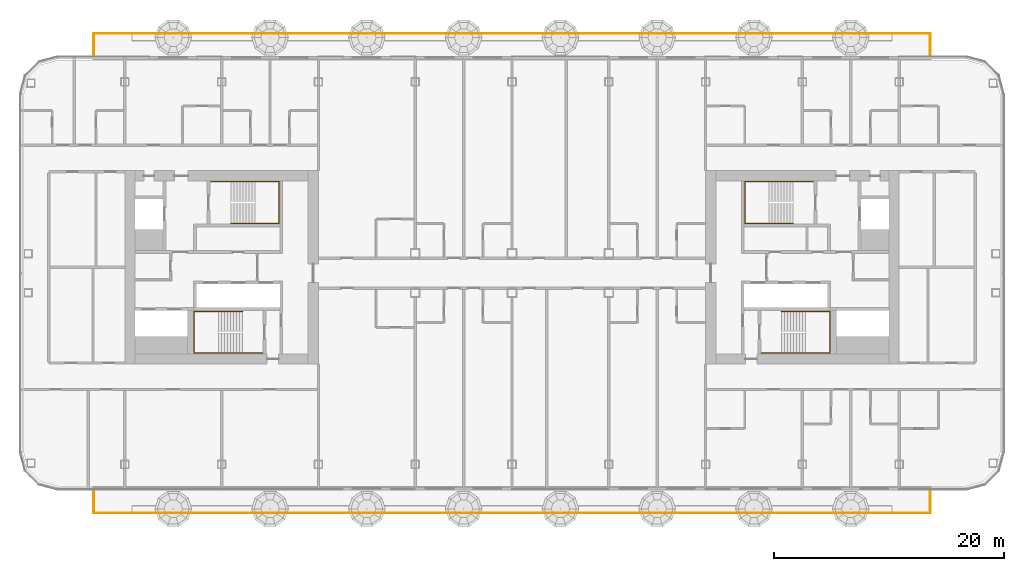
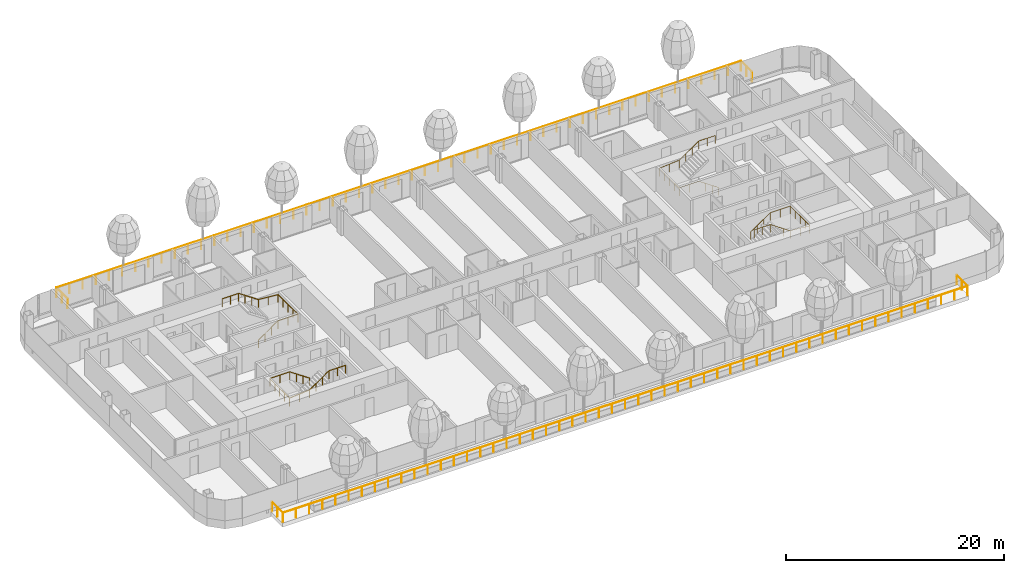
# One storey, part 25 of 30: 6 railings.
"""IFC4 building model written with IfcOpenShell, lengths in metres."""

from ifc_helpers import new_model, si_unit, direction, frame, origin, origin_2d, place, context, subcontext, project, spatial, circle, extrude, material, type_object, element, save


model = new_model("IFC4")

# Units and contexts
model_context = context("Model", 3, precision=1e-05, world=origin(), true_north=direction((0.0, 1.0)))
body_context = subcontext(model_context, "Body", "Model", "MODEL_VIEW")
ifc_project = project(units=[si_unit("LENGTHUNIT", "METRE"), si_unit("AREAUNIT", "SQUARE_METRE"), si_unit("VOLUMEUNIT", "CUBIC_METRE"), si_unit("PLANEANGLEUNIT", "RADIAN"), si_unit("MASSUNIT", "GRAM", prefix="KILO")], contexts=[model_context])

# Site, building, storey
site_placement = place(None, origin())
site = spatial("IfcSite", under=ifc_project, at=site_placement, CompositionType="ELEMENT")
building_placement = place(site_placement, origin())
building = spatial("IfcBuilding", under=site, at=building_placement, Name="Hakoniwa Tower and Hamabe Station Hall", CompositionType="ELEMENT")
storey_placement = place(building_placement, frame((0.0, 0.0, 137.39990234375)))
storey = spatial("IfcBuildingStorey", under=building, at=storey_placement, Name="L38", CompositionType="ELEMENT", Elevation=137.39990234375)

# Railings
ifc_material_1 = material(Name="Stainless steel and laminated glass", Category="steel")
railing_type_1 = type_object("IfcRailingType", Name="BALCONY BALUSTRADE 1100", PredefinedType="BALUSTRADE", material=ifc_material_1)
railing_1_placement = place(storey_placement, frame((-36.300048828125, 18.300048828125, 0.0)))
element("IfcRailing", 1, at=railing_1_placement, inside=storey, type_object=railing_type_1, Name="Balcony balustrade", PredefinedType="BALUSTRADE", context=body_context, shape_type="SweptSolid", body=[
    extrude(circle(Radius=0.02392578125, at=origin_2d()), frame((0.0, 0.0, 1.076171875), z_axis=(0.0, 1.0, 0.0), x_axis=(-1.0, 0.0, 0.0)), (0.0, 0.0, 1.0), 2.0),
    extrude(circle(Radius=0.02392578125, at=origin_2d()), frame((0.0, 2.0, 1.076171875), z_axis=(1.0, 0.0, 0.0), x_axis=(0.0, 1.0, 0.0)), (0.0, 0.0, 1.0), 72.60009765625),
    extrude(circle(Radius=0.02392578125, at=origin_2d()), frame((72.60009765625, 2.0, 1.076171875), z_axis=(0.0, -1.0, 0.0), x_axis=(1.0, 0.0, 0.0)), (0.0, 0.0, 1.0), 2.0),
    extrude(circle(Radius=0.02099609375, at=origin_2d()), origin(), (0.0, 0.0, 1.0), 1.052001953125),
    extrude(circle(Radius=0.02099609375, at=origin_2d()), frame((0.0, 1.0, 0.0)), (0.0, 0.0, 1.0), 1.052001953125),
    extrude(circle(Radius=0.02099609375, at=origin_2d()), frame((0.0, 2.0, 0.0)), (0.0, 0.0, 1.0), 1.052001953125),
    extrude(circle(Radius=0.02099609375, at=origin_2d()), frame((1.396240234375, 2.0, 0.0)), (0.0, 0.0, 1.0), 1.052001953125),
    extrude(circle(Radius=0.02099609375, at=origin_2d()), frame((2.792236328125, 2.0, 0.0)), (0.0, 0.0, 1.0), 1.052001953125),
    extrude(circle(Radius=0.02099609375, at=origin_2d()), frame((4.1884765625, 2.0, 0.0)), (0.0, 0.0, 1.0), 1.052001953125),
    extrude(circle(Radius=0.02099609375, at=origin_2d()), frame((5.584716796875, 2.0, 0.0)), (0.0, 0.0, 1.0), 1.052001953125),
    extrude(circle(Radius=0.02099609375, at=origin_2d()), frame((6.980712890625, 2.0, 0.0)), (0.0, 0.0, 1.0), 1.052001953125),
    extrude(circle(Radius=0.02099609375, at=origin_2d()), frame((8.376953125, 2.0, 0.0)), (0.0, 0.0, 1.0), 1.052001953125),
    extrude(circle(Radius=0.02099609375, at=origin_2d()), frame((9.773193359375, 2.0, 0.0)), (0.0, 0.0, 1.0), 1.052001953125),
    extrude(circle(Radius=0.02099609375, at=origin_2d()), frame((11.169189453125, 2.0, 0.0)), (0.0, 0.0, 1.0), 1.052001953125),
    extrude(circle(Radius=0.02099609375, at=origin_2d()), frame((12.5654296875, 2.0, 0.0)), (0.0, 0.0, 1.0), 1.052001953125),
    extrude(circle(Radius=0.02099609375, at=origin_2d()), frame((13.961669921875, 2.0, 0.0)), (0.0, 0.0, 1.0), 1.052001953125),
    extrude(circle(Radius=0.02099609375, at=origin_2d()), frame((15.357666015625, 2.0, 0.0)), (0.0, 0.0, 1.0), 1.052001953125),
    extrude(circle(Radius=0.02099609375, at=origin_2d()), frame((16.75390625, 2.0, 0.0)), (0.0, 0.0, 1.0), 1.052001953125),
    extrude(circle(Radius=0.02099609375, at=origin_2d()), frame((18.14990234375, 2.0, 0.0)), (0.0, 0.0, 1.0), 1.052001953125),
    extrude(circle(Radius=0.02099609375, at=origin_2d()), frame((19.546142578125, 2.0, 0.0)), (0.0, 0.0, 1.0), 1.052001953125),
    extrude(circle(Radius=0.02099609375, at=origin_2d()), frame((20.9423828125, 2.0, 0.0)), (0.0, 0.0, 1.0), 1.052001953125),
    extrude(circle(Radius=0.02099609375, at=origin_2d()), frame((22.33837890625, 2.0, 0.0)), (0.0, 0.0, 1.0), 1.052001953125),
    extrude(circle(Radius=0.02099609375, at=origin_2d()), frame((23.734619140625, 2.0, 0.0)), (0.0, 0.0, 1.0), 1.052001953125),
    extrude(circle(Radius=0.02099609375, at=origin_2d()), frame((25.130859375, 2.0, 0.0)), (0.0, 0.0, 1.0), 1.052001953125),
    extrude(circle(Radius=0.02099609375, at=origin_2d()), frame((26.52685546875, 2.0, 0.0)), (0.0, 0.0, 1.0), 1.052001953125),
    extrude(circle(Radius=0.02099609375, at=origin_2d()), frame((27.923095703125, 2.0, 0.0)), (0.0, 0.0, 1.0), 1.052001953125),
    extrude(circle(Radius=0.02099609375, at=origin_2d()), frame((29.3193359375, 2.0, 0.0)), (0.0, 0.0, 1.0), 1.052001953125),
    extrude(circle(Radius=0.02099609375, at=origin_2d()), frame((30.71533203125, 2.0, 0.0)), (0.0, 0.0, 1.0), 1.052001953125),
    extrude(circle(Radius=0.02099609375, at=origin_2d()), frame((32.111572265625, 2.0, 0.0)), (0.0, 0.0, 1.0), 1.052001953125),
    extrude(circle(Radius=0.02099609375, at=origin_2d()), frame((33.5078125, 2.0, 0.0)), (0.0, 0.0, 1.0), 1.052001953125),
    extrude(circle(Radius=0.02099609375, at=origin_2d()), frame((34.90380859375, 2.0, 0.0)), (0.0, 0.0, 1.0), 1.052001953125),
    extrude(circle(Radius=0.02099609375, at=origin_2d()), frame((36.300048828125, 2.0, 0.0)), (0.0, 0.0, 1.0), 1.052001953125),
    extrude(circle(Radius=0.02099609375, at=origin_2d()), frame((37.6962890625, 2.0, 0.0)), (0.0, 0.0, 1.0), 1.052001953125),
    extrude(circle(Radius=0.02099609375, at=origin_2d()), frame((39.09228515625, 2.0, 0.0)), (0.0, 0.0, 1.0), 1.052001953125),
    extrude(circle(Radius=0.02099609375, at=origin_2d()), frame((40.488525390625, 2.0, 0.0)), (0.0, 0.0, 1.0), 1.052001953125),
    extrude(circle(Radius=0.02099609375, at=origin_2d()), frame((41.884765625, 2.0, 0.0)), (0.0, 0.0, 1.0), 1.052001953125),
    extrude(circle(Radius=0.02099609375, at=origin_2d()), frame((43.28076171875, 2.0, 0.0)), (0.0, 0.0, 1.0), 1.052001953125),
    extrude(circle(Radius=0.02099609375, at=origin_2d()), frame((44.677001953125, 2.0, 0.0)), (0.0, 0.0, 1.0), 1.052001953125),
    extrude(circle(Radius=0.02099609375, at=origin_2d()), frame((46.0732421875, 2.0, 0.0)), (0.0, 0.0, 1.0), 1.052001953125),
    extrude(circle(Radius=0.02099609375, at=origin_2d()), frame((47.46923828125, 2.0, 0.0)), (0.0, 0.0, 1.0), 1.052001953125),
    extrude(circle(Radius=0.02099609375, at=origin_2d()), frame((48.865478515625, 2.0, 0.0)), (0.0, 0.0, 1.0), 1.052001953125),
    extrude(circle(Radius=0.02099609375, at=origin_2d()), frame((50.26171875, 2.0, 0.0)), (0.0, 0.0, 1.0), 1.052001953125),
    extrude(circle(Radius=0.02099609375, at=origin_2d()), frame((51.65771484375, 2.0, 0.0)), (0.0, 0.0, 1.0), 1.052001953125),
    extrude(circle(Radius=0.02099609375, at=origin_2d()), frame((53.053955078125, 2.0, 0.0)), (0.0, 0.0, 1.0), 1.052001953125),
    extrude(circle(Radius=0.02099609375, at=origin_2d()), frame((54.4501953125, 2.0, 0.0)), (0.0, 0.0, 1.0), 1.052001953125),
    extrude(circle(Radius=0.02099609375, at=origin_2d()), frame((55.84619140625, 2.0, 0.0)), (0.0, 0.0, 1.0), 1.052001953125),
    extrude(circle(Radius=0.02099609375, at=origin_2d()), frame((57.242431640625, 2.0, 0.0)), (0.0, 0.0, 1.0), 1.052001953125),
    extrude(circle(Radius=0.02099609375, at=origin_2d()), frame((58.638427734375, 2.0, 0.0)), (0.0, 0.0, 1.0), 1.052001953125),
    extrude(circle(Radius=0.02099609375, at=origin_2d()), frame((60.03466796875, 2.0, 0.0)), (0.0, 0.0, 1.0), 1.052001953125),
    extrude(circle(Radius=0.02099609375, at=origin_2d()), frame((61.430908203125, 2.0, 0.0)), (0.0, 0.0, 1.0), 1.052001953125),
    extrude(circle(Radius=0.02099609375, at=origin_2d()), frame((62.826904296875, 2.0, 0.0)), (0.0, 0.0, 1.0), 1.052001953125),
    extrude(circle(Radius=0.02099609375, at=origin_2d()), frame((64.22314453125, 2.0, 0.0)), (0.0, 0.0, 1.0), 1.052001953125),
    extrude(circle(Radius=0.02099609375, at=origin_2d()), frame((65.619384765625, 2.0, 0.0)), (0.0, 0.0, 1.0), 1.052001953125),
    extrude(circle(Radius=0.02099609375, at=origin_2d()), frame((67.015380859375, 2.0, 0.0)), (0.0, 0.0, 1.0), 1.052001953125),
    extrude(circle(Radius=0.02099609375, at=origin_2d()), frame((68.41162109375, 2.0, 0.0)), (0.0, 0.0, 1.0), 1.052001953125),
    extrude(circle(Radius=0.02099609375, at=origin_2d()), frame((69.807861328125, 2.0, 0.0)), (0.0, 0.0, 1.0), 1.052001953125),
    extrude(circle(Radius=0.02099609375, at=origin_2d()), frame((71.203857421875, 2.0, 0.0)), (0.0, 0.0, 1.0), 1.052001953125),
    extrude(circle(Radius=0.02099609375, at=origin_2d()), frame((72.60009765625, 2.0, 0.0)), (0.0, 0.0, 1.0), 1.052001953125),
    extrude(circle(Radius=0.02099609375, at=origin_2d()), frame((72.60009765625, 1.0, 0.0)), (0.0, 0.0, 1.0), 1.052001953125),
    extrude(circle(Radius=0.02099609375, at=origin_2d()), frame((72.60009765625, 0.0, 0.0)), (0.0, 0.0, 1.0), 1.052001953125),
])
railing_2_placement = place(storey_placement, frame((-36.300048828125, -19.300048828125, 0.0)))
element("IfcRailing", 2, at=railing_2_placement, inside=storey, type_object=railing_type_1, Name="Balcony balustrade", PredefinedType="BALUSTRADE", context=body_context, shape_type="SweptSolid", body=[
    extrude(circle(Radius=0.02392578125, at=origin_2d()), frame((0.0, 0.0, 1.076171875), z_axis=(0.0, -1.0, 0.0), x_axis=(1.0, 0.0, 0.0)), (0.0, 0.0, 1.0), 2.0),
    extrude(circle(Radius=0.02392578125, at=origin_2d()), frame((0.0, -2.0, 1.076171875), z_axis=(1.0, 0.0, 0.0), x_axis=(0.0, 1.0, 0.0)), (0.0, 0.0, 1.0), 72.60009765625),
    extrude(circle(Radius=0.02392578125, at=origin_2d()), frame((72.60009765625, -2.0, 1.076171875), z_axis=(0.0, 1.0, 0.0), x_axis=(-1.0, 0.0, 0.0)), (0.0, 0.0, 1.0), 2.0),
    extrude(circle(Radius=0.02099609375, at=origin_2d()), origin(), (0.0, 0.0, 1.0), 1.052001953125),
    extrude(circle(Radius=0.02099609375, at=origin_2d()), frame((0.0, -1.0, 0.0)), (0.0, 0.0, 1.0), 1.052001953125),
    extrude(circle(Radius=0.02099609375, at=origin_2d()), frame((0.0, -2.0, 0.0)), (0.0, 0.0, 1.0), 1.052001953125),
    extrude(circle(Radius=0.02099609375, at=origin_2d()), frame((1.396240234375, -2.0, 0.0)), (0.0, 0.0, 1.0), 1.052001953125),
    extrude(circle(Radius=0.02099609375, at=origin_2d()), frame((2.792236328125, -2.0, 0.0)), (0.0, 0.0, 1.0), 1.052001953125),
    extrude(circle(Radius=0.02099609375, at=origin_2d()), frame((4.1884765625, -2.0, 0.0)), (0.0, 0.0, 1.0), 1.052001953125),
    extrude(circle(Radius=0.02099609375, at=origin_2d()), frame((5.584716796875, -2.0, 0.0)), (0.0, 0.0, 1.0), 1.052001953125),
    extrude(circle(Radius=0.02099609375, at=origin_2d()), frame((6.980712890625, -2.0, 0.0)), (0.0, 0.0, 1.0), 1.052001953125),
    extrude(circle(Radius=0.02099609375, at=origin_2d()), frame((8.376953125, -2.0, 0.0)), (0.0, 0.0, 1.0), 1.052001953125),
    extrude(circle(Radius=0.02099609375, at=origin_2d()), frame((9.773193359375, -2.0, 0.0)), (0.0, 0.0, 1.0), 1.052001953125),
    extrude(circle(Radius=0.02099609375, at=origin_2d()), frame((11.169189453125, -2.0, 0.0)), (0.0, 0.0, 1.0), 1.052001953125),
    extrude(circle(Radius=0.02099609375, at=origin_2d()), frame((12.5654296875, -2.0, 0.0)), (0.0, 0.0, 1.0), 1.052001953125),
    extrude(circle(Radius=0.02099609375, at=origin_2d()), frame((13.961669921875, -2.0, 0.0)), (0.0, 0.0, 1.0), 1.052001953125),
    extrude(circle(Radius=0.02099609375, at=origin_2d()), frame((15.357666015625, -2.0, 0.0)), (0.0, 0.0, 1.0), 1.052001953125),
    extrude(circle(Radius=0.02099609375, at=origin_2d()), frame((16.75390625, -2.0, 0.0)), (0.0, 0.0, 1.0), 1.052001953125),
    extrude(circle(Radius=0.02099609375, at=origin_2d()), frame((18.14990234375, -2.0, 0.0)), (0.0, 0.0, 1.0), 1.052001953125),
    extrude(circle(Radius=0.02099609375, at=origin_2d()), frame((19.546142578125, -2.0, 0.0)), (0.0, 0.0, 1.0), 1.052001953125),
    extrude(circle(Radius=0.02099609375, at=origin_2d()), frame((20.9423828125, -2.0, 0.0)), (0.0, 0.0, 1.0), 1.052001953125),
    extrude(circle(Radius=0.02099609375, at=origin_2d()), frame((22.33837890625, -2.0, 0.0)), (0.0, 0.0, 1.0), 1.052001953125),
    extrude(circle(Radius=0.02099609375, at=origin_2d()), frame((23.734619140625, -2.0, 0.0)), (0.0, 0.0, 1.0), 1.052001953125),
    extrude(circle(Radius=0.02099609375, at=origin_2d()), frame((25.130859375, -2.0, 0.0)), (0.0, 0.0, 1.0), 1.052001953125),
    extrude(circle(Radius=0.02099609375, at=origin_2d()), frame((26.52685546875, -2.0, 0.0)), (0.0, 0.0, 1.0), 1.052001953125),
    extrude(circle(Radius=0.02099609375, at=origin_2d()), frame((27.923095703125, -2.0, 0.0)), (0.0, 0.0, 1.0), 1.052001953125),
    extrude(circle(Radius=0.02099609375, at=origin_2d()), frame((29.3193359375, -2.0, 0.0)), (0.0, 0.0, 1.0), 1.052001953125),
    extrude(circle(Radius=0.02099609375, at=origin_2d()), frame((30.71533203125, -2.0, 0.0)), (0.0, 0.0, 1.0), 1.052001953125),
    extrude(circle(Radius=0.02099609375, at=origin_2d()), frame((32.111572265625, -2.0, 0.0)), (0.0, 0.0, 1.0), 1.052001953125),
    extrude(circle(Radius=0.02099609375, at=origin_2d()), frame((33.5078125, -2.0, 0.0)), (0.0, 0.0, 1.0), 1.052001953125),
    extrude(circle(Radius=0.02099609375, at=origin_2d()), frame((34.90380859375, -2.0, 0.0)), (0.0, 0.0, 1.0), 1.052001953125),
    extrude(circle(Radius=0.02099609375, at=origin_2d()), frame((36.300048828125, -2.0, 0.0)), (0.0, 0.0, 1.0), 1.052001953125),
    extrude(circle(Radius=0.02099609375, at=origin_2d()), frame((37.6962890625, -2.0, 0.0)), (0.0, 0.0, 1.0), 1.052001953125),
    extrude(circle(Radius=0.02099609375, at=origin_2d()), frame((39.09228515625, -2.0, 0.0)), (0.0, 0.0, 1.0), 1.052001953125),
    extrude(circle(Radius=0.02099609375, at=origin_2d()), frame((40.488525390625, -2.0, 0.0)), (0.0, 0.0, 1.0), 1.052001953125),
    extrude(circle(Radius=0.02099609375, at=origin_2d()), frame((41.884765625, -2.0, 0.0)), (0.0, 0.0, 1.0), 1.052001953125),
    extrude(circle(Radius=0.02099609375, at=origin_2d()), frame((43.28076171875, -2.0, 0.0)), (0.0, 0.0, 1.0), 1.052001953125),
    extrude(circle(Radius=0.02099609375, at=origin_2d()), frame((44.677001953125, -2.0, 0.0)), (0.0, 0.0, 1.0), 1.052001953125),
    extrude(circle(Radius=0.02099609375, at=origin_2d()), frame((46.0732421875, -2.0, 0.0)), (0.0, 0.0, 1.0), 1.052001953125),
    extrude(circle(Radius=0.02099609375, at=origin_2d()), frame((47.46923828125, -2.0, 0.0)), (0.0, 0.0, 1.0), 1.052001953125),
    extrude(circle(Radius=0.02099609375, at=origin_2d()), frame((48.865478515625, -2.0, 0.0)), (0.0, 0.0, 1.0), 1.052001953125),
    extrude(circle(Radius=0.02099609375, at=origin_2d()), frame((50.26171875, -2.0, 0.0)), (0.0, 0.0, 1.0), 1.052001953125),
    extrude(circle(Radius=0.02099609375, at=origin_2d()), frame((51.65771484375, -2.0, 0.0)), (0.0, 0.0, 1.0), 1.052001953125),
    extrude(circle(Radius=0.02099609375, at=origin_2d()), frame((53.053955078125, -2.0, 0.0)), (0.0, 0.0, 1.0), 1.052001953125),
    extrude(circle(Radius=0.02099609375, at=origin_2d()), frame((54.4501953125, -2.0, 0.0)), (0.0, 0.0, 1.0), 1.052001953125),
    extrude(circle(Radius=0.02099609375, at=origin_2d()), frame((55.84619140625, -2.0, 0.0)), (0.0, 0.0, 1.0), 1.052001953125),
    extrude(circle(Radius=0.02099609375, at=origin_2d()), frame((57.242431640625, -2.0, 0.0)), (0.0, 0.0, 1.0), 1.052001953125),
    extrude(circle(Radius=0.02099609375, at=origin_2d()), frame((58.638427734375, -2.0, 0.0)), (0.0, 0.0, 1.0), 1.052001953125),
    extrude(circle(Radius=0.02099609375, at=origin_2d()), frame((60.03466796875, -2.0, 0.0)), (0.0, 0.0, 1.0), 1.052001953125),
    extrude(circle(Radius=0.02099609375, at=origin_2d()), frame((61.430908203125, -2.0, 0.0)), (0.0, 0.0, 1.0), 1.052001953125),
    extrude(circle(Radius=0.02099609375, at=origin_2d()), frame((62.826904296875, -2.0, 0.0)), (0.0, 0.0, 1.0), 1.052001953125),
    extrude(circle(Radius=0.02099609375, at=origin_2d()), frame((64.22314453125, -2.0, 0.0)), (0.0, 0.0, 1.0), 1.052001953125),
    extrude(circle(Radius=0.02099609375, at=origin_2d()), frame((65.619384765625, -2.0, 0.0)), (0.0, 0.0, 1.0), 1.052001953125),
    extrude(circle(Radius=0.02099609375, at=origin_2d()), frame((67.015380859375, -2.0, 0.0)), (0.0, 0.0, 1.0), 1.052001953125),
    extrude(circle(Radius=0.02099609375, at=origin_2d()), frame((68.41162109375, -2.0, 0.0)), (0.0, 0.0, 1.0), 1.052001953125),
    extrude(circle(Radius=0.02099609375, at=origin_2d()), frame((69.807861328125, -2.0, 0.0)), (0.0, 0.0, 1.0), 1.052001953125),
    extrude(circle(Radius=0.02099609375, at=origin_2d()), frame((71.203857421875, -2.0, 0.0)), (0.0, 0.0, 1.0), 1.052001953125),
    extrude(circle(Radius=0.02099609375, at=origin_2d()), frame((72.60009765625, -2.0, 0.0)), (0.0, 0.0, 1.0), 1.052001953125),
    extrude(circle(Radius=0.02099609375, at=origin_2d()), frame((72.60009765625, -1.0, 0.0)), (0.0, 0.0, 1.0), 1.052001953125),
    extrude(circle(Radius=0.02099609375, at=origin_2d()), frame((72.60009765625, 0.0, 0.0)), (0.0, 0.0, 1.0), 1.052001953125),
])
ifc_material_2 = material(Name="Stainless steel SUS304", Category="steel")
railing_type_2 = type_object("IfcRailingType", Name="STAIR HANDRAIL 900", PredefinedType="HANDRAIL", material=ifc_material_2)
railing_3_placement = place(storey_placement, frame((-24.39990234375, 3.81005859375, 0.177978515625)))
element("IfcRailing", 3, at=railing_3_placement, inside=storey, type_object=railing_type_2, Name="Handrail ST-1 L38 1", PredefinedType="HANDRAIL", context=body_context, shape_type="SweptSolid", body=[
    extrude(circle(Radius=0.02392578125, at=origin_2d()), frame((0.0, 0.0, 0.8759765625), z_axis=(0.825478349766, 0.0, 0.564433781827), x_axis=(0.0, 1.0, 0.0)), (0.0, 0.0, 1.0), 2.51953125),
    extrude(circle(Radius=0.02392578125, at=origin_2d()), frame((2.079833984375, 0.0, 2.2978515625), z_axis=(1.0, 0.0, 0.0), x_axis=(0.0, 1.0, 0.0)), (0.0, 0.0, 1.0), 2.110107421875),
    extrude(circle(Radius=0.02392578125, at=origin_2d()), frame((4.18994140625, 0.0, 2.2978515625), z_axis=(0.0, 1.0, 0.0), x_axis=(-1.0, 0.0, 0.0)), (0.0, 0.0, 1.0), 3.6298828125),
    extrude(circle(Radius=0.02392578125, at=origin_2d()), frame((4.18994140625, 3.6298828125, 2.2978515625), z_axis=(-0.996471417081, 0.0, 0.083932800143), x_axis=(0.0, -1.0, 0.0)), (0.0, 0.0, 1.0), 2.11767578125),
    extrude(circle(Radius=0.02392578125, at=origin_2d()), frame((2.079833984375, 3.6298828125, 2.4755859375), z_axis=(-0.825433201882, 0.0, 0.564499804456), x_axis=(0.0, -1.0, 0.0)), (0.0, 0.0, 1.0), 2.519775390625),
    extrude(circle(Radius=0.02392578125, at=origin_2d()), frame((0.0, 3.6298828125, 3.89794921875), z_axis=(-1.0, 0.0, 0.0), x_axis=(0.0, -1.0, 0.0)), (0.0, 0.0, 1.0), 1.739990234375),
    extrude(circle(Radius=0.02099609375, at=origin_2d()), origin(), (0.0, 0.0, 1.0), 0.851806640625),
    extrude(circle(Radius=0.02099609375, at=origin_2d()), frame((0.693359375, 0.0, 0.47412109375)), (0.0, 0.0, 1.0), 0.851806640625),
    extrude(circle(Radius=0.02099609375, at=origin_2d()), frame((1.386474609375, 0.0, 0.947998046875)), (0.0, 0.0, 1.0), 0.851806640625),
    extrude(circle(Radius=0.02099609375, at=origin_2d()), frame((2.079833984375, 0.0, 1.422119140625)), (0.0, 0.0, 1.0), 0.851806640625),
    extrude(circle(Radius=0.02099609375, at=origin_2d()), frame((3.134765625, 0.0, 1.422119140625)), (0.0, 0.0, 1.0), 0.851806640625),
    extrude(circle(Radius=0.02099609375, at=origin_2d()), frame((4.18994140625, 0.0, 1.422119140625)), (0.0, 0.0, 1.0), 0.851806640625),
    extrude(circle(Radius=0.02099609375, at=origin_2d()), frame((4.18994140625, 0.907470703125, 1.422119140625)), (0.0, 0.0, 1.0), 0.851806640625),
    extrude(circle(Radius=0.02099609375, at=origin_2d()), frame((4.18994140625, 1.81494140625, 1.422119140625)), (0.0, 0.0, 1.0), 0.851806640625),
    extrude(circle(Radius=0.02099609375, at=origin_2d()), frame((4.18994140625, 2.722412109375, 1.422119140625)), (0.0, 0.0, 1.0), 0.851806640625),
    extrude(circle(Radius=0.02099609375, at=origin_2d()), frame((4.18994140625, 3.6298828125, 1.422119140625)), (0.0, 0.0, 1.0), 0.851806640625),
    extrude(circle(Radius=0.02099609375, at=origin_2d()), frame((3.134765625, 3.6298828125, 1.510986328125)), (0.0, 0.0, 1.0), 0.851806640625),
    extrude(circle(Radius=0.02099609375, at=origin_2d()), frame((2.079833984375, 3.6298828125, 1.599853515625)), (0.0, 0.0, 1.0), 0.851806640625),
    extrude(circle(Radius=0.02099609375, at=origin_2d()), frame((1.386474609375, 3.6298828125, 2.073974609375)), (0.0, 0.0, 1.0), 0.851806640625),
    extrude(circle(Radius=0.02099609375, at=origin_2d()), frame((0.693359375, 3.6298828125, 2.548095703125)), (0.0, 0.0, 1.0), 0.851806640625),
    extrude(circle(Radius=0.02099609375, at=origin_2d()), frame((0.0, 3.6298828125, 3.022216796875)), (0.0, 0.0, 1.0), 0.851806640625),
    extrude(circle(Radius=0.02099609375, at=origin_2d()), frame((-0.8701171875, 3.6298828125, 3.022216796875)), (0.0, 0.0, 1.0), 0.851806640625),
    extrude(circle(Radius=0.02099609375, at=origin_2d()), frame((-1.739990234375, 3.6298828125, 3.022216796875)), (0.0, 0.0, 1.0), 0.851806640625),
])
railing_4_placement = place(storey_placement, frame((-23.39990234375, -3.81005859375, 0.177978515625)))
element("IfcRailing", 4, at=railing_4_placement, inside=storey, type_object=railing_type_2, Name="Handrail ST-2 L38 1", PredefinedType="HANDRAIL", context=body_context, shape_type="SweptSolid", body=[
    extrude(circle(Radius=0.02392578125, at=origin_2d()), frame((0.0, 0.0, 0.8759765625), z_axis=(-0.82550921652, 0.0, 0.564388636881), x_axis=(0.0, -1.0, 0.0)), (0.0, 0.0, 1.0), 2.519775390625),
    extrude(circle(Radius=0.02392578125, at=origin_2d()), frame((-2.080078125, 0.0, 2.2978515625), z_axis=(-1.0, 0.0, 0.0), x_axis=(0.0, -1.0, 0.0)), (0.0, 0.0, 1.0), 2.110107421875),
    extrude(circle(Radius=0.02392578125, at=origin_2d()), frame((-4.190185546875, 0.0, 2.2978515625), z_axis=(0.0, -1.0, 0.0), x_axis=(1.0, 0.0, 0.0)), (0.0, 0.0, 1.0), 3.6298828125),
    extrude(circle(Radius=0.02392578125, at=origin_2d()), frame((-4.190185546875, -3.6298828125, 2.2978515625), z_axis=(0.996471417081, 0.0, 0.083932800143), x_axis=(0.0, 1.0, 0.0)), (0.0, 0.0, 1.0), 2.11767578125),
    extrude(circle(Radius=0.02392578125, at=origin_2d()), frame((-2.080078125, -3.6298828125, 2.4755859375), z_axis=(0.825464074169, 0.0, 0.564454659168), x_axis=(0.0, 1.0, 0.0)), (0.0, 0.0, 1.0), 2.519775390625),
    extrude(circle(Radius=0.02392578125, at=origin_2d()), frame((0.0, -3.6298828125, 3.89794921875), z_axis=(1.0, 0.0, 0.0), x_axis=(0.0, 1.0, 0.0)), (0.0, 0.0, 1.0), 1.739990234375),
    extrude(circle(Radius=0.02099609375, at=origin_2d()), origin(), (0.0, 0.0, 1.0), 0.851806640625),
    extrude(circle(Radius=0.02099609375, at=origin_2d()), frame((-0.693359375, 0.0, 0.47412109375)), (0.0, 0.0, 1.0), 0.851806640625),
    extrude(circle(Radius=0.02099609375, at=origin_2d()), frame((-1.38671875, 0.0, 0.947998046875)), (0.0, 0.0, 1.0), 0.851806640625),
    extrude(circle(Radius=0.02099609375, at=origin_2d()), frame((-2.080078125, 0.0, 1.422119140625)), (0.0, 0.0, 1.0), 0.851806640625),
    extrude(circle(Radius=0.02099609375, at=origin_2d()), frame((-3.13525390625, 0.0, 1.422119140625)), (0.0, 0.0, 1.0), 0.851806640625),
    extrude(circle(Radius=0.02099609375, at=origin_2d()), frame((-4.190185546875, 0.0, 1.422119140625)), (0.0, 0.0, 1.0), 0.851806640625),
    extrude(circle(Radius=0.02099609375, at=origin_2d()), frame((-4.190185546875, -0.907470703125, 1.422119140625)), (0.0, 0.0, 1.0), 0.851806640625),
    extrude(circle(Radius=0.02099609375, at=origin_2d()), frame((-4.190185546875, -1.81494140625, 1.422119140625)), (0.0, 0.0, 1.0), 0.851806640625),
    extrude(circle(Radius=0.02099609375, at=origin_2d()), frame((-4.190185546875, -2.722412109375, 1.422119140625)), (0.0, 0.0, 1.0), 0.851806640625),
    extrude(circle(Radius=0.02099609375, at=origin_2d()), frame((-4.190185546875, -3.6298828125, 1.422119140625)), (0.0, 0.0, 1.0), 0.851806640625),
    extrude(circle(Radius=0.02099609375, at=origin_2d()), frame((-3.13525390625, -3.6298828125, 1.510986328125)), (0.0, 0.0, 1.0), 0.851806640625),
    extrude(circle(Radius=0.02099609375, at=origin_2d()), frame((-2.080078125, -3.6298828125, 1.599853515625)), (0.0, 0.0, 1.0), 0.851806640625),
    extrude(circle(Radius=0.02099609375, at=origin_2d()), frame((-1.38671875, -3.6298828125, 2.073974609375)), (0.0, 0.0, 1.0), 0.851806640625),
    extrude(circle(Radius=0.02099609375, at=origin_2d()), frame((-0.693359375, -3.6298828125, 2.548095703125)), (0.0, 0.0, 1.0), 0.851806640625),
    extrude(circle(Radius=0.02099609375, at=origin_2d()), frame((0.0, -3.6298828125, 3.022216796875)), (0.0, 0.0, 1.0), 0.851806640625),
    extrude(circle(Radius=0.02099609375, at=origin_2d()), frame((0.8701171875, -3.6298828125, 3.022216796875)), (0.0, 0.0, 1.0), 0.851806640625),
    extrude(circle(Radius=0.02099609375, at=origin_2d()), frame((1.739990234375, -3.6298828125, 3.022216796875)), (0.0, 0.0, 1.0), 0.851806640625),
])
railing_5_placement = place(storey_placement, frame((24.39990234375, 3.81005859375, 0.177978515625)))
element("IfcRailing", 5, at=railing_5_placement, inside=storey, type_object=railing_type_2, Name="Handrail ST-3 L38 1", PredefinedType="HANDRAIL", context=body_context, shape_type="SweptSolid", body=[
    extrude(circle(Radius=0.02392578125, at=origin_2d()), frame((0.0, 0.0, 0.8759765625), z_axis=(-0.825478349766, 0.0, 0.564433781827), x_axis=(0.0, -1.0, 0.0)), (0.0, 0.0, 1.0), 2.51953125),
    extrude(circle(Radius=0.02392578125, at=origin_2d()), frame((-2.079833984375, 0.0, 2.2978515625), z_axis=(-1.0, 0.0, 0.0), x_axis=(0.0, -1.0, 0.0)), (0.0, 0.0, 1.0), 2.110107421875),
    extrude(circle(Radius=0.02392578125, at=origin_2d()), frame((-4.18994140625, 0.0, 2.2978515625), z_axis=(0.0, 1.0, 0.0), x_axis=(-1.0, 0.0, 0.0)), (0.0, 0.0, 1.0), 3.6298828125),
    extrude(circle(Radius=0.02392578125, at=origin_2d()), frame((-4.18994140625, 3.6298828125, 2.2978515625), z_axis=(0.996471417081, 0.0, 0.083932800143), x_axis=(0.0, 1.0, 0.0)), (0.0, 0.0, 1.0), 2.11767578125),
    extrude(circle(Radius=0.02392578125, at=origin_2d()), frame((-2.079833984375, 3.6298828125, 2.4755859375), z_axis=(0.825433201882, 0.0, 0.564499804456), x_axis=(0.0, 1.0, 0.0)), (0.0, 0.0, 1.0), 2.519775390625),
    extrude(circle(Radius=0.02392578125, at=origin_2d()), frame((0.0, 3.6298828125, 3.89794921875), z_axis=(1.0, 0.0, 0.0), x_axis=(0.0, 1.0, 0.0)), (0.0, 0.0, 1.0), 1.739990234375),
    extrude(circle(Radius=0.02099609375, at=origin_2d()), origin(), (0.0, 0.0, 1.0), 0.851806640625),
    extrude(circle(Radius=0.02099609375, at=origin_2d()), frame((-0.693359375, 0.0, 0.47412109375)), (0.0, 0.0, 1.0), 0.851806640625),
    extrude(circle(Radius=0.02099609375, at=origin_2d()), frame((-1.386474609375, 0.0, 0.947998046875)), (0.0, 0.0, 1.0), 0.851806640625),
    extrude(circle(Radius=0.02099609375, at=origin_2d()), frame((-2.079833984375, 0.0, 1.422119140625)), (0.0, 0.0, 1.0), 0.851806640625),
    extrude(circle(Radius=0.02099609375, at=origin_2d()), frame((-3.134765625, 0.0, 1.422119140625)), (0.0, 0.0, 1.0), 0.851806640625),
    extrude(circle(Radius=0.02099609375, at=origin_2d()), frame((-4.18994140625, 0.0, 1.422119140625)), (0.0, 0.0, 1.0), 0.851806640625),
    extrude(circle(Radius=0.02099609375, at=origin_2d()), frame((-4.18994140625, 0.907470703125, 1.422119140625)), (0.0, 0.0, 1.0), 0.851806640625),
    extrude(circle(Radius=0.02099609375, at=origin_2d()), frame((-4.18994140625, 1.81494140625, 1.422119140625)), (0.0, 0.0, 1.0), 0.851806640625),
    extrude(circle(Radius=0.02099609375, at=origin_2d()), frame((-4.18994140625, 2.722412109375, 1.422119140625)), (0.0, 0.0, 1.0), 0.851806640625),
    extrude(circle(Radius=0.02099609375, at=origin_2d()), frame((-4.18994140625, 3.6298828125, 1.422119140625)), (0.0, 0.0, 1.0), 0.851806640625),
    extrude(circle(Radius=0.02099609375, at=origin_2d()), frame((-3.134765625, 3.6298828125, 1.510986328125)), (0.0, 0.0, 1.0), 0.851806640625),
    extrude(circle(Radius=0.02099609375, at=origin_2d()), frame((-2.079833984375, 3.6298828125, 1.599853515625)), (0.0, 0.0, 1.0), 0.851806640625),
    extrude(circle(Radius=0.02099609375, at=origin_2d()), frame((-1.386474609375, 3.6298828125, 2.073974609375)), (0.0, 0.0, 1.0), 0.851806640625),
    extrude(circle(Radius=0.02099609375, at=origin_2d()), frame((-0.693359375, 3.6298828125, 2.548095703125)), (0.0, 0.0, 1.0), 0.851806640625),
    extrude(circle(Radius=0.02099609375, at=origin_2d()), frame((0.0, 3.6298828125, 3.022216796875)), (0.0, 0.0, 1.0), 0.851806640625),
    extrude(circle(Radius=0.02099609375, at=origin_2d()), frame((0.8701171875, 3.6298828125, 3.022216796875)), (0.0, 0.0, 1.0), 0.851806640625),
    extrude(circle(Radius=0.02099609375, at=origin_2d()), frame((1.739990234375, 3.6298828125, 3.022216796875)), (0.0, 0.0, 1.0), 0.851806640625),
])
railing_6_placement = place(storey_placement, frame((23.39990234375, -3.81005859375, 0.177978515625)))
element("IfcRailing", 6, at=railing_6_placement, inside=storey, type_object=railing_type_2, Name="Handrail ST-4 L38 1", PredefinedType="HANDRAIL", context=body_context, shape_type="SweptSolid", body=[
    extrude(circle(Radius=0.02392578125, at=origin_2d()), frame((0.0, 0.0, 0.8759765625), z_axis=(0.82550921652, 0.0, 0.564388636881), x_axis=(0.0, 1.0, 0.0)), (0.0, 0.0, 1.0), 2.519775390625),
    extrude(circle(Radius=0.02392578125, at=origin_2d()), frame((2.080078125, 0.0, 2.2978515625), z_axis=(1.0, 0.0, 0.0), x_axis=(0.0, 1.0, 0.0)), (0.0, 0.0, 1.0), 2.110107421875),
    extrude(circle(Radius=0.02392578125, at=origin_2d()), frame((4.190185546875, 0.0, 2.2978515625), z_axis=(0.0, -1.0, 0.0), x_axis=(1.0, 0.0, 0.0)), (0.0, 0.0, 1.0), 3.6298828125),
    extrude(circle(Radius=0.02392578125, at=origin_2d()), frame((4.190185546875, -3.6298828125, 2.2978515625), z_axis=(-0.996471417081, 0.0, 0.083932800143), x_axis=(0.0, -1.0, 0.0)), (0.0, 0.0, 1.0), 2.11767578125),
    extrude(circle(Radius=0.02392578125, at=origin_2d()), frame((2.080078125, -3.6298828125, 2.4755859375), z_axis=(-0.825464074169, 0.0, 0.564454659168), x_axis=(0.0, -1.0, 0.0)), (0.0, 0.0, 1.0), 2.519775390625),
    extrude(circle(Radius=0.02392578125, at=origin_2d()), frame((0.0, -3.6298828125, 3.89794921875), z_axis=(-1.0, 0.0, 0.0), x_axis=(0.0, -1.0, 0.0)), (0.0, 0.0, 1.0), 1.739990234375),
    extrude(circle(Radius=0.02099609375, at=origin_2d()), origin(), (0.0, 0.0, 1.0), 0.851806640625),
    extrude(circle(Radius=0.02099609375, at=origin_2d()), frame((0.693359375, 0.0, 0.47412109375)), (0.0, 0.0, 1.0), 0.851806640625),
    extrude(circle(Radius=0.02099609375, at=origin_2d()), frame((1.38671875, 0.0, 0.947998046875)), (0.0, 0.0, 1.0), 0.851806640625),
    extrude(circle(Radius=0.02099609375, at=origin_2d()), frame((2.080078125, 0.0, 1.422119140625)), (0.0, 0.0, 1.0), 0.851806640625),
    extrude(circle(Radius=0.02099609375, at=origin_2d()), frame((3.13525390625, 0.0, 1.422119140625)), (0.0, 0.0, 1.0), 0.851806640625),
    extrude(circle(Radius=0.02099609375, at=origin_2d()), frame((4.190185546875, 0.0, 1.422119140625)), (0.0, 0.0, 1.0), 0.851806640625),
    extrude(circle(Radius=0.02099609375, at=origin_2d()), frame((4.190185546875, -0.907470703125, 1.422119140625)), (0.0, 0.0, 1.0), 0.851806640625),
    extrude(circle(Radius=0.02099609375, at=origin_2d()), frame((4.190185546875, -1.81494140625, 1.422119140625)), (0.0, 0.0, 1.0), 0.851806640625),
    extrude(circle(Radius=0.02099609375, at=origin_2d()), frame((4.190185546875, -2.722412109375, 1.422119140625)), (0.0, 0.0, 1.0), 0.851806640625),
    extrude(circle(Radius=0.02099609375, at=origin_2d()), frame((4.190185546875, -3.6298828125, 1.422119140625)), (0.0, 0.0, 1.0), 0.851806640625),
    extrude(circle(Radius=0.02099609375, at=origin_2d()), frame((3.13525390625, -3.6298828125, 1.510986328125)), (0.0, 0.0, 1.0), 0.851806640625),
    extrude(circle(Radius=0.02099609375, at=origin_2d()), frame((2.080078125, -3.6298828125, 1.599853515625)), (0.0, 0.0, 1.0), 0.851806640625),
    extrude(circle(Radius=0.02099609375, at=origin_2d()), frame((1.38671875, -3.6298828125, 2.073974609375)), (0.0, 0.0, 1.0), 0.851806640625),
    extrude(circle(Radius=0.02099609375, at=origin_2d()), frame((0.693359375, -3.6298828125, 2.548095703125)), (0.0, 0.0, 1.0), 0.851806640625),
    extrude(circle(Radius=0.02099609375, at=origin_2d()), frame((0.0, -3.6298828125, 3.022216796875)), (0.0, 0.0, 1.0), 0.851806640625),
    extrude(circle(Radius=0.02099609375, at=origin_2d()), frame((-0.8701171875, -3.6298828125, 3.022216796875)), (0.0, 0.0, 1.0), 0.851806640625),
    extrude(circle(Radius=0.02099609375, at=origin_2d()), frame((-1.739990234375, -3.6298828125, 3.022216796875)), (0.0, 0.0, 1.0), 0.851806640625),
])

save(model, "model.ifc")
